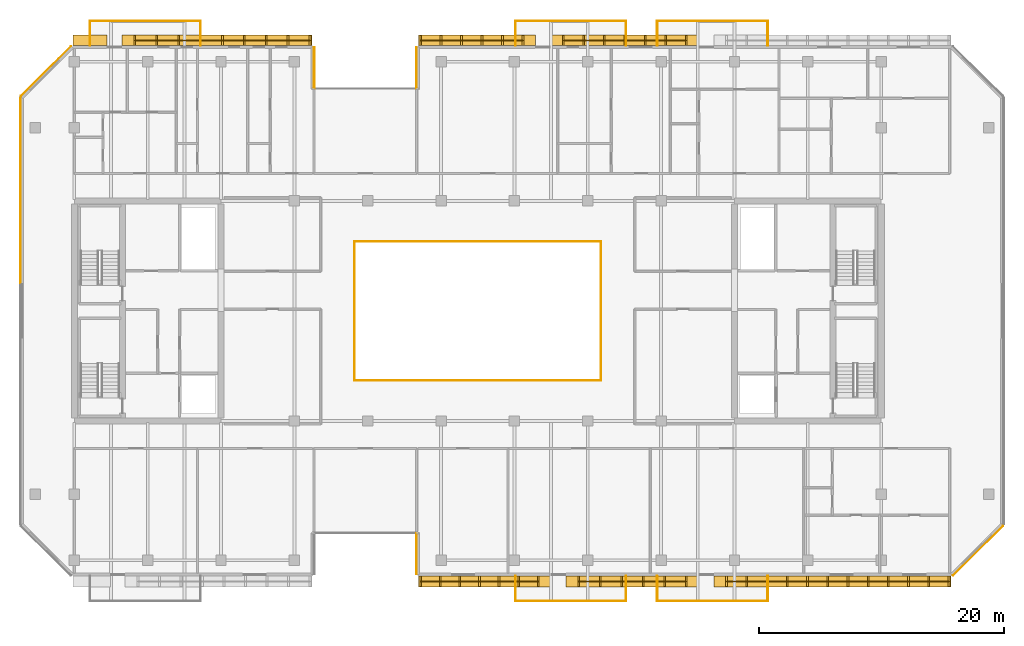
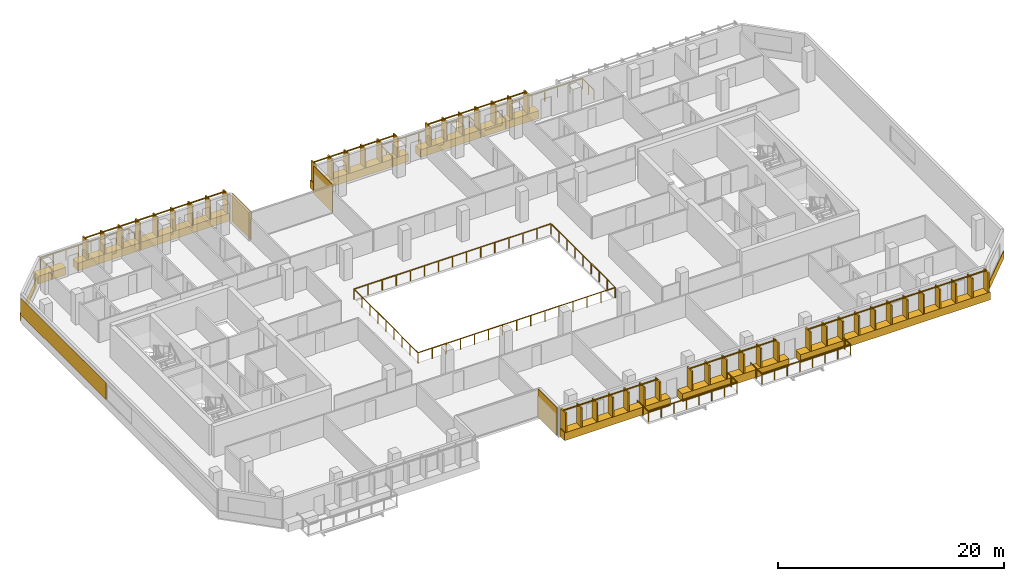
# One storey, part 17 of 19: 13 coverings, 13 railings.
"""IFC4 building model written with IfcOpenShell, lengths in metres."""

from ifc_helpers import new_model, si_unit, direction, frame, origin, origin_2d, place, context, subcontext, project, spatial, rectangle, extrude, material, layer, layer_set, type_object, element, save


model = new_model("IFC4")

# Units and contexts
model_context = context("Model", 3, precision=1e-05, world=origin(), true_north=direction((0.0, 1.0)))
body_context = subcontext(model_context, "Body", "Model", "MODEL_VIEW")
ifc_project = project(units=[si_unit("LENGTHUNIT", "METRE"), si_unit("AREAUNIT", "SQUARE_METRE"), si_unit("VOLUMEUNIT", "CUBIC_METRE"), si_unit("PLANEANGLEUNIT", "RADIAN"), si_unit("MASSUNIT", "GRAM", prefix="KILO")], contexts=[model_context])

# Site, building, storey
site_placement = place(None, origin())
site = spatial("IfcSite", under=ifc_project, at=site_placement, CompositionType="ELEMENT")
building_placement = place(site_placement, origin())
building = spatial("IfcBuilding", under=site, at=building_placement, Name="Tanjung Sevakor Pilgrim Tower", CompositionType="ELEMENT")
storey_placement = place(building_placement, frame((0.0, 0.0, 155.10009765625)))
storey = spatial("IfcBuildingStorey", under=building, at=storey_placement, Name="L43", CompositionType="ELEMENT", Elevation=155.10009765625)

# Coverings
ifc_material_1 = material(Name="Reconstructed Limestone Cladding", Category="masonry")
ifc_layer = layer(ifc_material_1, 0.044921875)
ifc_layer_set = layer_set([ifc_layer], Name="COV-CLAD-LIMESTONE")
covering_type = type_object("IfcCoveringType", Name="COV-CLAD-LIMESTONE", PredefinedType="CLADDING", material=ifc_layer_set)
covering_1_placement = place(storey_placement, frame((51.9775390625, 13.72509765625, 0.019775390625), z_axis=(0.0, 0.0, 1.0), x_axis=(0.0, -1.0, 0.0)))
element("IfcCovering", 1, at=covering_1_placement, inside=storey, type_object=covering_type, Name="L43 Warm Limestone Wall Cladding EW-L43-MAIN-4", PredefinedType="CLADDING", context=body_context, shape_type="SweptSolid", body=[
    extrude(rectangle(XDim=3.360107421875, YDim=0.044921875, at=origin_2d()), origin(), (0.0, 0.0, 1.0), 3.0400390625),
])
covering_2_placement = place(storey_placement, frame((57.577392578125, 11.469970703125, 0.009765625), z_axis=(0.0, 0.0, 1.0), x_axis=(1.0, 0.0, 0.0)))
element("IfcCovering", 2, at=covering_2_placement, inside=storey, type_object=covering_type, Name="L43 Warm Limestone Sill Spandrel EW-L43-MAIN-5-1", PredefinedType="CLADDING", context=body_context, shape_type="SweptSolid", body=[
    extrude(rectangle(XDim=10.824951171875, YDim=0.860107421875, at=origin_2d()), origin(), (0.0, 0.0, 1.0), 0.840087890625),
])
covering_3_placement = place(storey_placement, frame((69.64990234375, 11.469970703125, 0.009765625), z_axis=(0.0, 0.0, 1.0), x_axis=(1.0, 0.0, 0.0)))
element("IfcCovering", 3, at=covering_3_placement, inside=storey, type_object=covering_type, Name="L43 Warm Limestone Sill Spandrel EW-L43-MAIN-5-2", PredefinedType="CLADDING", context=body_context, shape_type="SweptSolid", body=[
    extrude(rectangle(XDim=10.8798828125, YDim=0.860107421875, at=origin_2d()), origin(), (0.0, 0.0, 1.0), 0.840087890625),
])
covering_4_placement = place(storey_placement, frame((86.009033203125, 11.469970703125, 0.009765625), z_axis=(0.0, 0.0, 1.0), x_axis=(1.0, 0.0, 0.0)))
element("IfcCovering", 4, at=covering_4_placement, inside=storey, type_object=covering_type, Name="L43 Warm Limestone Sill Spandrel EW-L43-MAIN-5-3", PredefinedType="CLADDING", context=body_context, shape_type="SweptSolid", body=[
    extrude(rectangle(XDim=19.398193359375, YDim=0.860107421875, at=origin_2d()), origin(), (0.0, 0.0, 1.0), 0.840087890625),
])
covering_5_placement = place(storey_placement, frame((97.916015625, 13.984130859375, 0.009765625), z_axis=(0.0, 0.0, 1.0), x_axis=(0.707106781187, 0.707106781187, 0.0)))
element("IfcCovering", 5, at=covering_5_placement, inside=storey, type_object=covering_type, Name="L43 Warm Limestone Sill Spandrel EW-CHM-L43-MAIN-5-1", PredefinedType="CLADDING", context=body_context, shape_type="SweptSolid", body=[
    extrude(rectangle(XDim=5.756103515625, YDim=0.044921875, at=origin_2d()), origin(), (0.0, 0.0, 1.0), 0.840087890625),
])
covering_6_placement = place(storey_placement, frame((69.02490234375, 55.72998046875, 0.009765625), z_axis=(0.0, 0.0, 1.0), x_axis=(-1.0, 0.0, 0.0)))
element("IfcCovering", 6, at=covering_6_placement, inside=storey, type_object=covering_type, Name="L43 Warm Limestone Sill Spandrel EW-L43-MAIN-9-2", PredefinedType="CLADDING", context=body_context, shape_type="SweptSolid", body=[
    extrude(rectangle(XDim=12.1298828125, YDim=0.860107421875, at=origin_2d()), origin(), (0.0, 0.0, 1.0), 0.840087890625),
])
covering_7_placement = place(storey_placement, frame((56.952392578125, 55.72998046875, 0.009765625), z_axis=(0.0, 0.0, 1.0), x_axis=(-1.0, 0.0, 0.0)))
element("IfcCovering", 7, at=covering_7_placement, inside=storey, type_object=covering_type, Name="L43 Warm Limestone Sill Spandrel EW-L43-MAIN-9-3", PredefinedType="CLADDING", context=body_context, shape_type="SweptSolid", body=[
    extrude(rectangle(XDim=9.574951171875, YDim=0.860107421875, at=origin_2d()), origin(), (0.0, 0.0, 1.0), 0.840087890625),
])
for number, where, z_axis, x_axis, name in (
    (8, (51.9775390625, 53.47509765625, 0.019775390625), (0.0, 0.0, 1.0), (0.0, -1.0, 0.0), "L43 Warm Limestone Wall Cladding EW-L43-MAIN-10"),
    (9, (43.62255859375, 53.47509765625, 0.019775390625), (0.0, 0.0, 1.0), (0.0, 1.0, 0.0), "L43 Warm Limestone Wall Cladding EW-L43-MAIN-12"),
):
    element("IfcCovering", number, at=place(storey_placement, frame(where, z_axis=z_axis, x_axis=x_axis)), inside=storey, type_object=covering_type, Name=name, PredefinedType="CLADDING", context=body_context, shape_type="SweptSolid", body=[
        extrude(rectangle(XDim=3.360107421875, YDim=0.044921875, at=origin_2d()), origin(), (0.0, 0.0, 1.0), 3.0400390625),
    ])
covering_8_placement = place(storey_placement, frame((35.672607421875, 55.72998046875, 0.009765625), z_axis=(0.0, 0.0, 1.0), x_axis=(-1.0, 0.0, 0.0)))
element("IfcCovering", 10, at=covering_8_placement, inside=storey, type_object=covering_type, Name="L43 Warm Limestone Sill Spandrel EW-L43-MAIN-13-1", PredefinedType="CLADDING", context=body_context, shape_type="SweptSolid", body=[
    extrude(rectangle(XDim=15.52490234375, YDim=0.860107421875, at=origin_2d()), origin(), (0.0, 0.0, 1.0), 0.840087890625),
])
covering_9_placement = place(storey_placement, frame((25.291015625, 55.72998046875, 0.009765625), z_axis=(0.0, 0.0, 1.0), x_axis=(-1.0, 0.0, 0.0)))
element("IfcCovering", 11, at=covering_9_placement, inside=storey, type_object=covering_type, Name="L43 Warm Limestone Sill Spandrel EW-L43-MAIN-13-2", PredefinedType="CLADDING", context=body_context, shape_type="SweptSolid", body=[
    extrude(rectangle(XDim=2.798095703125, YDim=0.860107421875, at=origin_2d()), origin(), (0.0, 0.0, 1.0), 0.840087890625),
])
covering_10_placement = place(storey_placement, frame((21.68408203125, 53.2158203125, 0.009765625), z_axis=(0.0, 0.0, 1.0), x_axis=(-0.707106781187, -0.707106781187, 0.0)))
element("IfcCovering", 12, at=covering_10_placement, inside=storey, type_object=covering_type, Name="L43 Warm Limestone Sill Spandrel EW-CHM-L43-MAIN-13-1", PredefinedType="CLADDING", context=body_context, shape_type="SweptSolid", body=[
    extrude(rectangle(XDim=5.756103515625, YDim=0.044921875, at=origin_2d()), origin(), (0.0, 0.0, 1.0), 0.840087890625),
])
covering_11_placement = place(storey_placement, frame((19.577392578125, 43.42919921875, 0.849853515625), z_axis=(0.0, 0.0, 1.0), x_axis=(0.0, -1.0, 0.0)))
element("IfcCovering", 13, at=covering_11_placement, inside=storey, type_object=covering_type, Name="L43 Warm Limestone Pier Panel EW-L43-MAIN-15-1", PredefinedType="CLADDING", context=body_context, shape_type="SweptSolid", body=[
    extrude(rectangle(XDim=15.158203125, YDim=0.044921875, at=origin_2d()), origin(), (0.0, 0.0, 1.0), 1.81005859375),
])

# Railings
ifc_material_2 = material(Name="Laminated Glass and Aluminium", Category="aluminium")
railing_type_1 = type_object("IfcRailingType", Name="RL-BAL-BALUST", PredefinedType="BALUSTRADE", material=ifc_material_2)
railing_1_placement = place(storey_placement, frame((46.919921875, 27.919921875, 0.0)))
element("IfcRailing", 14, at=railing_1_placement, inside=storey, type_object=railing_type_1, Name="L43 Void Opening Balustrade 1A", PredefinedType="BALUSTRADE", context=body_context, shape_type="SweptSolid", body=[
    extrude(rectangle(XDim=0.0479, YDim=0.0479), frame((0.0, 0.0, 1.1259765625), z_axis=(1.0, 0.0, 0.0), x_axis=(0.0, 1.0, 0.0)), (0.0, 0.0, 1.0), 20.16015625),
    extrude(rectangle(XDim=0.0479, YDim=0.0479), frame((20.16015625, 0.0, 1.1259765625), z_axis=(0.0, 1.0, 0.0), x_axis=(-1.0, 0.0, 0.0)), (0.0, 0.0, 1.0), 11.360107421875),
    extrude(rectangle(XDim=0.042, YDim=0.042), origin(), (0.0, 0.0, 1.0), 1.101806640625),
    extrude(rectangle(XDim=0.042, YDim=0.042), frame((1.43994140625, 0.0, 0.0)), (0.0, 0.0, 1.0), 1.101806640625),
    extrude(rectangle(XDim=0.042, YDim=0.042), frame((2.880126953125, 0.0, 0.0)), (0.0, 0.0, 1.0), 1.101806640625),
    extrude(rectangle(XDim=0.042, YDim=0.042), frame((4.320068359375, 0.0, 0.0)), (0.0, 0.0, 1.0), 1.101806640625),
    extrude(rectangle(XDim=0.042, YDim=0.042), frame((5.760009765625, 0.0, 0.0)), (0.0, 0.0, 1.0), 1.101806640625),
    extrude(rectangle(XDim=0.042, YDim=0.042), frame((7.199951171875, 0.0, 0.0)), (0.0, 0.0, 1.0), 1.101806640625),
    extrude(rectangle(XDim=0.042, YDim=0.042), frame((8.64013671875, 0.0, 0.0)), (0.0, 0.0, 1.0), 1.101806640625),
    extrude(rectangle(XDim=0.042, YDim=0.042), frame((10.080078125, 0.0, 0.0)), (0.0, 0.0, 1.0), 1.101806640625),
    extrude(rectangle(XDim=0.042, YDim=0.042), frame((11.52001953125, 0.0, 0.0)), (0.0, 0.0, 1.0), 1.101806640625),
    extrude(rectangle(XDim=0.042, YDim=0.042), frame((12.960205078125, 0.0, 0.0)), (0.0, 0.0, 1.0), 1.101806640625),
    extrude(rectangle(XDim=0.042, YDim=0.042), frame((14.400146484375, 0.0, 0.0)), (0.0, 0.0, 1.0), 1.101806640625),
    extrude(rectangle(XDim=0.042, YDim=0.042), frame((15.840087890625, 0.0, 0.0)), (0.0, 0.0, 1.0), 1.101806640625),
    extrude(rectangle(XDim=0.042, YDim=0.042), frame((17.280029296875, 0.0, 0.0)), (0.0, 0.0, 1.0), 1.101806640625),
    extrude(rectangle(XDim=0.042, YDim=0.042), frame((18.72021484375, 0.0, 0.0)), (0.0, 0.0, 1.0), 1.101806640625),
    extrude(rectangle(XDim=0.042, YDim=0.042), frame((20.16015625, 0.0, 0.0)), (0.0, 0.0, 1.0), 1.101806640625),
    extrude(rectangle(XDim=0.042, YDim=0.042), frame((20.16015625, 1.419921875, 0.0)), (0.0, 0.0, 1.0), 1.101806640625),
    extrude(rectangle(XDim=0.042, YDim=0.042), frame((20.16015625, 2.840087890625, 0.0)), (0.0, 0.0, 1.0), 1.101806640625),
    extrude(rectangle(XDim=0.042, YDim=0.042), frame((20.16015625, 4.260009765625, 0.0)), (0.0, 0.0, 1.0), 1.101806640625),
    extrude(rectangle(XDim=0.042, YDim=0.042), frame((20.16015625, 5.68017578125, 0.0)), (0.0, 0.0, 1.0), 1.101806640625),
    extrude(rectangle(XDim=0.042, YDim=0.042), frame((20.16015625, 7.10009765625, 0.0)), (0.0, 0.0, 1.0), 1.101806640625),
    extrude(rectangle(XDim=0.042, YDim=0.042), frame((20.16015625, 8.52001953125, 0.0)), (0.0, 0.0, 1.0), 1.101806640625),
    extrude(rectangle(XDim=0.042, YDim=0.042), frame((20.16015625, 9.940185546875, 0.0)), (0.0, 0.0, 1.0), 1.101806640625),
    extrude(rectangle(XDim=0.042, YDim=0.042), frame((20.16015625, 11.360107421875, 0.0)), (0.0, 0.0, 1.0), 1.101806640625),
])
railing_2_placement = place(storey_placement, frame((67.080078125, 39.280029296875, 0.0)))
element("IfcRailing", 15, at=railing_2_placement, inside=storey, type_object=railing_type_1, Name="L43 Void Opening Balustrade 1B", PredefinedType="BALUSTRADE", context=body_context, shape_type="SweptSolid", body=[
    extrude(rectangle(XDim=0.0479, YDim=0.0479), frame((0.0, 0.0, 1.1259765625), z_axis=(-1.0, 0.0, 0.0), x_axis=(0.0, -1.0, 0.0)), (0.0, 0.0, 1.0), 20.16015625),
    extrude(rectangle(XDim=0.0479, YDim=0.0479), frame((-20.16015625, 0.0, 1.1259765625), z_axis=(0.0, -1.0, 0.0), x_axis=(1.0, 0.0, 0.0)), (0.0, 0.0, 1.0), 11.360107421875),
    extrude(rectangle(XDim=0.042, YDim=0.042), origin(), (0.0, 0.0, 1.0), 1.101806640625),
    extrude(rectangle(XDim=0.042, YDim=0.042), frame((-1.43994140625, 0.0, 0.0)), (0.0, 0.0, 1.0), 1.101806640625),
    extrude(rectangle(XDim=0.042, YDim=0.042), frame((-2.880126953125, 0.0, 0.0)), (0.0, 0.0, 1.0), 1.101806640625),
    extrude(rectangle(XDim=0.042, YDim=0.042), frame((-4.320068359375, 0.0, 0.0)), (0.0, 0.0, 1.0), 1.101806640625),
    extrude(rectangle(XDim=0.042, YDim=0.042), frame((-5.760009765625, 0.0, 0.0)), (0.0, 0.0, 1.0), 1.101806640625),
    extrude(rectangle(XDim=0.042, YDim=0.042), frame((-7.199951171875, 0.0, 0.0)), (0.0, 0.0, 1.0), 1.101806640625),
    extrude(rectangle(XDim=0.042, YDim=0.042), frame((-8.64013671875, 0.0, 0.0)), (0.0, 0.0, 1.0), 1.101806640625),
    extrude(rectangle(XDim=0.042, YDim=0.042), frame((-10.080078125, 0.0, 0.0)), (0.0, 0.0, 1.0), 1.101806640625),
    extrude(rectangle(XDim=0.042, YDim=0.042), frame((-11.52001953125, 0.0, 0.0)), (0.0, 0.0, 1.0), 1.101806640625),
    extrude(rectangle(XDim=0.042, YDim=0.042), frame((-12.960205078125, 0.0, 0.0)), (0.0, 0.0, 1.0), 1.101806640625),
    extrude(rectangle(XDim=0.042, YDim=0.042), frame((-14.400146484375, 0.0, 0.0)), (0.0, 0.0, 1.0), 1.101806640625),
    extrude(rectangle(XDim=0.042, YDim=0.042), frame((-15.840087890625, 0.0, 0.0)), (0.0, 0.0, 1.0), 1.101806640625),
    extrude(rectangle(XDim=0.042, YDim=0.042), frame((-17.280029296875, 0.0, 0.0)), (0.0, 0.0, 1.0), 1.101806640625),
    extrude(rectangle(XDim=0.042, YDim=0.042), frame((-18.72021484375, 0.0, 0.0)), (0.0, 0.0, 1.0), 1.101806640625),
    extrude(rectangle(XDim=0.042, YDim=0.042), frame((-20.16015625, 0.0, 0.0)), (0.0, 0.0, 1.0), 1.101806640625),
    extrude(rectangle(XDim=0.042, YDim=0.042), frame((-20.16015625, -1.419921875, 0.0)), (0.0, 0.0, 1.0), 1.101806640625),
    extrude(rectangle(XDim=0.042, YDim=0.042), frame((-20.16015625, -2.840087890625, 0.0)), (0.0, 0.0, 1.0), 1.101806640625),
    extrude(rectangle(XDim=0.042, YDim=0.042), frame((-20.16015625, -4.260009765625, 0.0)), (0.0, 0.0, 1.0), 1.101806640625),
    extrude(rectangle(XDim=0.042, YDim=0.042), frame((-20.16015625, -5.68017578125, 0.0)), (0.0, 0.0, 1.0), 1.101806640625),
    extrude(rectangle(XDim=0.042, YDim=0.042), frame((-20.16015625, -7.10009765625, 0.0)), (0.0, 0.0, 1.0), 1.101806640625),
    extrude(rectangle(XDim=0.042, YDim=0.042), frame((-20.16015625, -8.52001953125, 0.0)), (0.0, 0.0, 1.0), 1.101806640625),
    extrude(rectangle(XDim=0.042, YDim=0.042), frame((-20.16015625, -9.940185546875, 0.0)), (0.0, 0.0, 1.0), 1.101806640625),
    extrude(rectangle(XDim=0.042, YDim=0.042), frame((-20.16015625, -11.360107421875, 0.0)), (0.0, 0.0, 1.0), 1.101806640625),
])
railing_3_placement = place(storey_placement, frame((25.280029296875, 55.300048828125, 0.0)))
element("IfcRailing", 16, at=railing_3_placement, inside=storey, type_object=railing_type_1, Name="L43 Loggia Balustrade MAIN-N1", PredefinedType="BALUSTRADE", context=body_context, shape_type="SweptSolid", body=[
    extrude(rectangle(XDim=0.0479, YDim=0.0479), frame((0.0, 0.0, 1.1259765625), z_axis=(0.0, 1.0, 0.0), x_axis=(-1.0, 0.0, 0.0)), (0.0, 0.0, 1.0), 2.02001953125),
    extrude(rectangle(XDim=0.0479, YDim=0.0479), frame((0.0, 2.02001953125, 1.1259765625), z_axis=(1.0, 0.0, 0.0), x_axis=(0.0, 1.0, 0.0)), (0.0, 0.0, 1.0), 9.0400390625),
    extrude(rectangle(XDim=0.0479, YDim=0.0479), frame((9.0400390625, 2.02001953125, 1.1259765625), z_axis=(0.0, -1.0, 0.0), x_axis=(1.0, 0.0, 0.0)), (0.0, 0.0, 1.0), 2.02001953125),
    extrude(rectangle(XDim=0.042, YDim=0.042), origin(), (0.0, 0.0, 1.0), 1.101806640625),
    extrude(rectangle(XDim=0.042, YDim=0.042), frame((0.0, 1.010009765625, 0.0)), (0.0, 0.0, 1.0), 1.101806640625),
    extrude(rectangle(XDim=0.042, YDim=0.042), frame((0.0, 2.02001953125, 0.0)), (0.0, 0.0, 1.0), 1.101806640625),
    extrude(rectangle(XDim=0.042, YDim=0.042), frame((1.29150390625, 2.02001953125, 0.0)), (0.0, 0.0, 1.0), 1.101806640625),
    extrude(rectangle(XDim=0.042, YDim=0.042), frame((2.582763671875, 2.02001953125, 0.0)), (0.0, 0.0, 1.0), 1.101806640625),
    extrude(rectangle(XDim=0.042, YDim=0.042), frame((3.874267578125, 2.02001953125, 0.0)), (0.0, 0.0, 1.0), 1.101806640625),
    extrude(rectangle(XDim=0.042, YDim=0.042), frame((5.165771484375, 2.02001953125, 0.0)), (0.0, 0.0, 1.0), 1.101806640625),
    extrude(rectangle(XDim=0.042, YDim=0.042), frame((6.457275390625, 2.02001953125, 0.0)), (0.0, 0.0, 1.0), 1.101806640625),
    extrude(rectangle(XDim=0.042, YDim=0.042), frame((7.74853515625, 2.02001953125, 0.0)), (0.0, 0.0, 1.0), 1.101806640625),
    extrude(rectangle(XDim=0.042, YDim=0.042), frame((9.0400390625, 2.02001953125, 0.0)), (0.0, 0.0, 1.0), 1.101806640625),
    extrude(rectangle(XDim=0.042, YDim=0.042), frame((9.0400390625, 1.010009765625, 0.0)), (0.0, 0.0, 1.0), 1.101806640625),
    extrude(rectangle(XDim=0.042, YDim=0.042), frame((9.0400390625, 0.0, 0.0)), (0.0, 0.0, 1.0), 1.101806640625),
])
railing_4_placement = place(storey_placement, frame((60.080078125, 11.89990234375, 0.0)))
element("IfcRailing", 17, at=railing_4_placement, inside=storey, type_object=railing_type_1, Name="L43 Loggia Balustrade MAIN-S2", PredefinedType="BALUSTRADE", context=body_context, shape_type="SweptSolid", body=[
    extrude(rectangle(XDim=0.0479, YDim=0.0479), frame((0.0, 0.0, 1.1259765625), z_axis=(0.0, -1.0, 0.0), x_axis=(1.0, 0.0, 0.0)), (0.0, 0.0, 1.0), 2.02001953125),
    extrude(rectangle(XDim=0.0479, YDim=0.0479), frame((0.0, -2.02001953125, 1.1259765625), z_axis=(1.0, 0.0, 0.0), x_axis=(0.0, 1.0, 0.0)), (0.0, 0.0, 1.0), 9.0400390625),
    extrude(rectangle(XDim=0.0479, YDim=0.0479), frame((9.0400390625, -2.02001953125, 1.1259765625), z_axis=(0.0, 1.0, 0.0), x_axis=(-1.0, 0.0, 0.0)), (0.0, 0.0, 1.0), 2.02001953125),
    extrude(rectangle(XDim=0.042, YDim=0.042), origin(), (0.0, 0.0, 1.0), 1.101806640625),
    extrude(rectangle(XDim=0.042, YDim=0.042), frame((0.0, -1.010009765625, 0.0)), (0.0, 0.0, 1.0), 1.101806640625),
    extrude(rectangle(XDim=0.042, YDim=0.042), frame((0.0, -2.02001953125, 0.0)), (0.0, 0.0, 1.0), 1.101806640625),
    extrude(rectangle(XDim=0.042, YDim=0.042), frame((1.29150390625, -2.02001953125, 0.0)), (0.0, 0.0, 1.0), 1.101806640625),
    extrude(rectangle(XDim=0.042, YDim=0.042), frame((2.582763671875, -2.02001953125, 0.0)), (0.0, 0.0, 1.0), 1.101806640625),
    extrude(rectangle(XDim=0.042, YDim=0.042), frame((3.874267578125, -2.02001953125, 0.0)), (0.0, 0.0, 1.0), 1.101806640625),
    extrude(rectangle(XDim=0.042, YDim=0.042), frame((5.165771484375, -2.02001953125, 0.0)), (0.0, 0.0, 1.0), 1.101806640625),
    extrude(rectangle(XDim=0.042, YDim=0.042), frame((6.457275390625, -2.02001953125, 0.0)), (0.0, 0.0, 1.0), 1.101806640625),
    extrude(rectangle(XDim=0.042, YDim=0.042), frame((7.74853515625, -2.02001953125, 0.0)), (0.0, 0.0, 1.0), 1.101806640625),
    extrude(rectangle(XDim=0.042, YDim=0.042), frame((9.0400390625, -2.02001953125, 0.0)), (0.0, 0.0, 1.0), 1.101806640625),
    extrude(rectangle(XDim=0.042, YDim=0.042), frame((9.0400390625, -1.010009765625, 0.0)), (0.0, 0.0, 1.0), 1.101806640625),
    extrude(rectangle(XDim=0.042, YDim=0.042), frame((9.0400390625, 0.0, 0.0)), (0.0, 0.0, 1.0), 1.101806640625),
])
railing_5_placement = place(storey_placement, frame((60.080078125, 55.300048828125, 0.0)))
element("IfcRailing", 18, at=railing_5_placement, inside=storey, type_object=railing_type_1, Name="L43 Loggia Balustrade MAIN-N2", PredefinedType="BALUSTRADE", context=body_context, shape_type="SweptSolid", body=[
    extrude(rectangle(XDim=0.0479, YDim=0.0479), frame((0.0, 0.0, 1.1259765625), z_axis=(0.0, 1.0, 0.0), x_axis=(-1.0, 0.0, 0.0)), (0.0, 0.0, 1.0), 2.02001953125),
    extrude(rectangle(XDim=0.0479, YDim=0.0479), frame((0.0, 2.02001953125, 1.1259765625), z_axis=(1.0, 0.0, 0.0), x_axis=(0.0, 1.0, 0.0)), (0.0, 0.0, 1.0), 9.0400390625),
    extrude(rectangle(XDim=0.0479, YDim=0.0479), frame((9.0400390625, 2.02001953125, 1.1259765625), z_axis=(0.0, -1.0, 0.0), x_axis=(1.0, 0.0, 0.0)), (0.0, 0.0, 1.0), 2.02001953125),
    extrude(rectangle(XDim=0.042, YDim=0.042), origin(), (0.0, 0.0, 1.0), 1.101806640625),
    extrude(rectangle(XDim=0.042, YDim=0.042), frame((0.0, 1.010009765625, 0.0)), (0.0, 0.0, 1.0), 1.101806640625),
    extrude(rectangle(XDim=0.042, YDim=0.042), frame((0.0, 2.02001953125, 0.0)), (0.0, 0.0, 1.0), 1.101806640625),
    extrude(rectangle(XDim=0.042, YDim=0.042), frame((1.29150390625, 2.02001953125, 0.0)), (0.0, 0.0, 1.0), 1.101806640625),
    extrude(rectangle(XDim=0.042, YDim=0.042), frame((2.582763671875, 2.02001953125, 0.0)), (0.0, 0.0, 1.0), 1.101806640625),
    extrude(rectangle(XDim=0.042, YDim=0.042), frame((3.874267578125, 2.02001953125, 0.0)), (0.0, 0.0, 1.0), 1.101806640625),
    extrude(rectangle(XDim=0.042, YDim=0.042), frame((5.165771484375, 2.02001953125, 0.0)), (0.0, 0.0, 1.0), 1.101806640625),
    extrude(rectangle(XDim=0.042, YDim=0.042), frame((6.457275390625, 2.02001953125, 0.0)), (0.0, 0.0, 1.0), 1.101806640625),
    extrude(rectangle(XDim=0.042, YDim=0.042), frame((7.74853515625, 2.02001953125, 0.0)), (0.0, 0.0, 1.0), 1.101806640625),
    extrude(rectangle(XDim=0.042, YDim=0.042), frame((9.0400390625, 2.02001953125, 0.0)), (0.0, 0.0, 1.0), 1.101806640625),
    extrude(rectangle(XDim=0.042, YDim=0.042), frame((9.0400390625, 1.010009765625, 0.0)), (0.0, 0.0, 1.0), 1.101806640625),
    extrude(rectangle(XDim=0.042, YDim=0.042), frame((9.0400390625, 0.0, 0.0)), (0.0, 0.0, 1.0), 1.101806640625),
])
railing_6_placement = place(storey_placement, frame((71.679931640625, 11.89990234375, 0.0)))
element("IfcRailing", 19, at=railing_6_placement, inside=storey, type_object=railing_type_1, Name="L43 Loggia Balustrade MAIN-S3", PredefinedType="BALUSTRADE", context=body_context, shape_type="SweptSolid", body=[
    extrude(rectangle(XDim=0.0479, YDim=0.0479), frame((0.0, 0.0, 1.1259765625), z_axis=(0.0, -1.0, 0.0), x_axis=(1.0, 0.0, 0.0)), (0.0, 0.0, 1.0), 2.02001953125),
    extrude(rectangle(XDim=0.0479, YDim=0.0479), frame((0.0, -2.02001953125, 1.1259765625), z_axis=(1.0, 0.0, 0.0), x_axis=(0.0, 1.0, 0.0)), (0.0, 0.0, 1.0), 9.0400390625),
    extrude(rectangle(XDim=0.0479, YDim=0.0479), frame((9.0400390625, -2.02001953125, 1.1259765625), z_axis=(0.0, 1.0, 0.0), x_axis=(-1.0, 0.0, 0.0)), (0.0, 0.0, 1.0), 2.02001953125),
    extrude(rectangle(XDim=0.042, YDim=0.042), origin(), (0.0, 0.0, 1.0), 1.101806640625),
    extrude(rectangle(XDim=0.042, YDim=0.042), frame((0.0, -1.010009765625, 0.0)), (0.0, 0.0, 1.0), 1.101806640625),
    extrude(rectangle(XDim=0.042, YDim=0.042), frame((0.0, -2.02001953125, 0.0)), (0.0, 0.0, 1.0), 1.101806640625),
    extrude(rectangle(XDim=0.042, YDim=0.042), frame((1.29150390625, -2.02001953125, 0.0)), (0.0, 0.0, 1.0), 1.101806640625),
    extrude(rectangle(XDim=0.042, YDim=0.042), frame((2.582763671875, -2.02001953125, 0.0)), (0.0, 0.0, 1.0), 1.101806640625),
    extrude(rectangle(XDim=0.042, YDim=0.042), frame((3.874267578125, -2.02001953125, 0.0)), (0.0, 0.0, 1.0), 1.101806640625),
    extrude(rectangle(XDim=0.042, YDim=0.042), frame((5.165771484375, -2.02001953125, 0.0)), (0.0, 0.0, 1.0), 1.101806640625),
    extrude(rectangle(XDim=0.042, YDim=0.042), frame((6.457275390625, -2.02001953125, 0.0)), (0.0, 0.0, 1.0), 1.101806640625),
    extrude(rectangle(XDim=0.042, YDim=0.042), frame((7.74853515625, -2.02001953125, 0.0)), (0.0, 0.0, 1.0), 1.101806640625),
    extrude(rectangle(XDim=0.042, YDim=0.042), frame((9.0400390625, -2.02001953125, 0.0)), (0.0, 0.0, 1.0), 1.101806640625),
    extrude(rectangle(XDim=0.042, YDim=0.042), frame((9.0400390625, -1.010009765625, 0.0)), (0.0, 0.0, 1.0), 1.101806640625),
    extrude(rectangle(XDim=0.042, YDim=0.042), frame((9.0400390625, 0.0, 0.0)), (0.0, 0.0, 1.0), 1.101806640625),
])
railing_7_placement = place(storey_placement, frame((71.679931640625, 55.300048828125, 0.0)))
element("IfcRailing", 20, at=railing_7_placement, inside=storey, type_object=railing_type_1, Name="L43 Loggia Balustrade MAIN-N3", PredefinedType="BALUSTRADE", context=body_context, shape_type="SweptSolid", body=[
    extrude(rectangle(XDim=0.0479, YDim=0.0479), frame((0.0, 0.0, 1.1259765625), z_axis=(0.0, 1.0, 0.0), x_axis=(-1.0, 0.0, 0.0)), (0.0, 0.0, 1.0), 2.02001953125),
    extrude(rectangle(XDim=0.0479, YDim=0.0479), frame((0.0, 2.02001953125, 1.1259765625), z_axis=(1.0, 0.0, 0.0), x_axis=(0.0, 1.0, 0.0)), (0.0, 0.0, 1.0), 9.0400390625),
    extrude(rectangle(XDim=0.0479, YDim=0.0479), frame((9.0400390625, 2.02001953125, 1.1259765625), z_axis=(0.0, -1.0, 0.0), x_axis=(1.0, 0.0, 0.0)), (0.0, 0.0, 1.0), 2.02001953125),
    extrude(rectangle(XDim=0.042, YDim=0.042), origin(), (0.0, 0.0, 1.0), 1.101806640625),
    extrude(rectangle(XDim=0.042, YDim=0.042), frame((0.0, 1.010009765625, 0.0)), (0.0, 0.0, 1.0), 1.101806640625),
    extrude(rectangle(XDim=0.042, YDim=0.042), frame((0.0, 2.02001953125, 0.0)), (0.0, 0.0, 1.0), 1.101806640625),
    extrude(rectangle(XDim=0.042, YDim=0.042), frame((1.29150390625, 2.02001953125, 0.0)), (0.0, 0.0, 1.0), 1.101806640625),
    extrude(rectangle(XDim=0.042, YDim=0.042), frame((2.582763671875, 2.02001953125, 0.0)), (0.0, 0.0, 1.0), 1.101806640625),
    extrude(rectangle(XDim=0.042, YDim=0.042), frame((3.874267578125, 2.02001953125, 0.0)), (0.0, 0.0, 1.0), 1.101806640625),
    extrude(rectangle(XDim=0.042, YDim=0.042), frame((5.165771484375, 2.02001953125, 0.0)), (0.0, 0.0, 1.0), 1.101806640625),
    extrude(rectangle(XDim=0.042, YDim=0.042), frame((6.457275390625, 2.02001953125, 0.0)), (0.0, 0.0, 1.0), 1.101806640625),
    extrude(rectangle(XDim=0.042, YDim=0.042), frame((7.74853515625, 2.02001953125, 0.0)), (0.0, 0.0, 1.0), 1.101806640625),
    extrude(rectangle(XDim=0.042, YDim=0.042), frame((9.0400390625, 2.02001953125, 0.0)), (0.0, 0.0, 1.0), 1.101806640625),
    extrude(rectangle(XDim=0.042, YDim=0.042), frame((9.0400390625, 1.010009765625, 0.0)), (0.0, 0.0, 1.0), 1.101806640625),
    extrude(rectangle(XDim=0.042, YDim=0.042), frame((9.0400390625, 0.0, 0.0)), (0.0, 0.0, 1.0), 1.101806640625),
])
ifc_material_3 = material(Name="Anodised Bronze Aluminium 6063-T6", Category="aluminium")
railing_type_2 = type_object("IfcRailingType", Name="RL-FIN-SCREEN", PredefinedType="BALUSTRADE", material=ifc_material_3)
railing_8_placement = place(storey_placement, frame((52.324951171875, 11.47509765625, 0.83984375)))
element("IfcRailing", 21, at=railing_8_placement, inside=storey, type_object=railing_type_2, Name="L43 Vertical Bronze-Gold Solar Fin Screen FNSCR-EW-L43-MAIN-5-1", PredefinedType="BALUSTRADE", context=body_context, shape_type="SweptSolid", body=[
    extrude(rectangle(XDim=0.105, YDim=0.105), frame((0.0, 0.0, 2.157470703125), z_axis=(1.0, 0.0, 0.0), x_axis=(0.0, 1.0, 0.0)), (0.0, 0.0, 1.0), 9.625),
    extrude(rectangle(XDim=0.14, YDim=0.85), origin(), (0.0, 0.0, 1.0), 2.10498046875),
    extrude(rectangle(XDim=0.14, YDim=0.85), frame((1.604248046875, 0.0, 0.0)), (0.0, 0.0, 1.0), 2.10498046875),
    extrude(rectangle(XDim=0.14, YDim=0.85), frame((3.208251953125, 0.0, 0.0)), (0.0, 0.0, 1.0), 2.10498046875),
    extrude(rectangle(XDim=0.14, YDim=0.85), frame((4.8125, 0.0, 0.0)), (0.0, 0.0, 1.0), 2.10498046875),
    extrude(rectangle(XDim=0.14, YDim=0.85), frame((6.416748046875, 0.0, 0.0)), (0.0, 0.0, 1.0), 2.10498046875),
    extrude(rectangle(XDim=0.14, YDim=0.85), frame((8.020751953125, 0.0, 0.0)), (0.0, 0.0, 1.0), 2.10498046875),
    extrude(rectangle(XDim=0.14, YDim=0.85), frame((9.625, 0.0, 0.0)), (0.0, 0.0, 1.0), 2.10498046875),
])
railing_9_placement = place(storey_placement, frame((65.25, 11.47509765625, 0.83984375)))
element("IfcRailing", 22, at=railing_9_placement, inside=storey, type_object=railing_type_2, Name="L43 Vertical Bronze-Gold Solar Fin Screen FNSCR-EW-L43-MAIN-5-2", PredefinedType="BALUSTRADE", context=body_context, shape_type="SweptSolid", body=[
    extrude(rectangle(XDim=0.105, YDim=0.105), frame((0.0, 0.0, 2.157470703125), z_axis=(1.0, 0.0, 0.0), x_axis=(0.0, 1.0, 0.0)), (0.0, 0.0, 1.0), 8.800048828125),
    extrude(rectangle(XDim=0.14, YDim=0.85), origin(), (0.0, 0.0, 1.0), 2.10498046875),
    extrude(rectangle(XDim=0.14, YDim=0.85), frame((1.760009765625, 0.0, 0.0)), (0.0, 0.0, 1.0), 2.10498046875),
    extrude(rectangle(XDim=0.14, YDim=0.85), frame((3.52001953125, 0.0, 0.0)), (0.0, 0.0, 1.0), 2.10498046875),
    extrude(rectangle(XDim=0.14, YDim=0.85), frame((5.280029296875, 0.0, 0.0)), (0.0, 0.0, 1.0), 2.10498046875),
    extrude(rectangle(XDim=0.14, YDim=0.85), frame((7.0400390625, 0.0, 0.0)), (0.0, 0.0, 1.0), 2.10498046875),
    extrude(rectangle(XDim=0.14, YDim=0.85), frame((8.800048828125, 0.0, 0.0)), (0.0, 0.0, 1.0), 2.10498046875),
])
railing_10_placement = place(storey_placement, frame((77.35009765625, 11.47509765625, 0.83984375)))
element("IfcRailing", 23, at=railing_10_placement, inside=storey, type_object=railing_type_2, Name="L43 Vertical Bronze-Gold Solar Fin Screen FNSCR-EW-L43-MAIN-5-3", PredefinedType="BALUSTRADE", context=body_context, shape_type="SweptSolid", body=[
    extrude(rectangle(XDim=0.105, YDim=0.105), frame((0.0, 0.0, 2.157470703125), z_axis=(1.0, 0.0, 0.0), x_axis=(0.0, 1.0, 0.0)), (0.0, 0.0, 1.0), 18.197998046875),
    extrude(rectangle(XDim=0.14, YDim=0.85), origin(), (0.0, 0.0, 1.0), 2.10498046875),
    extrude(rectangle(XDim=0.14, YDim=0.85), frame((1.654296875, 0.0, 0.0)), (0.0, 0.0, 1.0), 2.10498046875),
    extrude(rectangle(XDim=0.14, YDim=0.85), frame((3.308837890625, 0.0, 0.0)), (0.0, 0.0, 1.0), 2.10498046875),
    extrude(rectangle(XDim=0.14, YDim=0.85), frame((4.963134765625, 0.0, 0.0)), (0.0, 0.0, 1.0), 2.10498046875),
    extrude(rectangle(XDim=0.14, YDim=0.85), frame((6.617431640625, 0.0, 0.0)), (0.0, 0.0, 1.0), 2.10498046875),
    extrude(rectangle(XDim=0.14, YDim=0.85), frame((8.271728515625, 0.0, 0.0)), (0.0, 0.0, 1.0), 2.10498046875),
    extrude(rectangle(XDim=0.14, YDim=0.85), frame((9.92626953125, 0.0, 0.0)), (0.0, 0.0, 1.0), 2.10498046875),
    extrude(rectangle(XDim=0.14, YDim=0.85), frame((11.58056640625, 0.0, 0.0)), (0.0, 0.0, 1.0), 2.10498046875),
    extrude(rectangle(XDim=0.14, YDim=0.85), frame((13.23486328125, 0.0, 0.0)), (0.0, 0.0, 1.0), 2.10498046875),
    extrude(rectangle(XDim=0.14, YDim=0.85), frame((14.88916015625, 0.0, 0.0)), (0.0, 0.0, 1.0), 2.10498046875),
    extrude(rectangle(XDim=0.14, YDim=0.85), frame((16.543701171875, 0.0, 0.0)), (0.0, 0.0, 1.0), 2.10498046875),
    extrude(rectangle(XDim=0.14, YDim=0.85), frame((18.197998046875, 0.0, 0.0)), (0.0, 0.0, 1.0), 2.10498046875),
])
railing_11_placement = place(storey_placement, frame((74.050048828125, 55.72509765625, 0.83984375)))
element("IfcRailing", 24, at=railing_11_placement, inside=storey, type_object=railing_type_2, Name="L43 Vertical Bronze-Gold Solar Fin Screen FNSCR-EW-L43-MAIN-9-2", PredefinedType="BALUSTRADE", context=body_context, shape_type="SweptSolid", body=[
    extrude(rectangle(XDim=0.105, YDim=0.105), frame((0.0, 0.0, 2.157470703125), z_axis=(-1.0, 0.0, 0.0), x_axis=(0.0, -1.0, 0.0)), (0.0, 0.0, 1.0), 10.050048828125),
    extrude(rectangle(XDim=0.14, YDim=0.85), origin(), (0.0, 0.0, 1.0), 2.10498046875),
    extrude(rectangle(XDim=0.14, YDim=0.85), frame((-1.675048828125, 0.0, 0.0)), (0.0, 0.0, 1.0), 2.10498046875),
    extrude(rectangle(XDim=0.14, YDim=0.85), frame((-3.35009765625, 0.0, 0.0)), (0.0, 0.0, 1.0), 2.10498046875),
    extrude(rectangle(XDim=0.14, YDim=0.85), frame((-5.02490234375, 0.0, 0.0)), (0.0, 0.0, 1.0), 2.10498046875),
    extrude(rectangle(XDim=0.14, YDim=0.85), frame((-6.699951171875, 0.0, 0.0)), (0.0, 0.0, 1.0), 2.10498046875),
    extrude(rectangle(XDim=0.14, YDim=0.85), frame((-8.375, 0.0, 0.0)), (0.0, 0.0, 1.0), 2.10498046875),
    extrude(rectangle(XDim=0.14, YDim=0.85), frame((-10.050048828125, 0.0, 0.0)), (0.0, 0.0, 1.0), 2.10498046875),
])
railing_12_placement = place(storey_placement, frame((60.699951171875, 55.72509765625, 0.83984375)))
element("IfcRailing", 25, at=railing_12_placement, inside=storey, type_object=railing_type_2, Name="L43 Vertical Bronze-Gold Solar Fin Screen FNSCR-EW-L43-MAIN-9-3", PredefinedType="BALUSTRADE", context=body_context, shape_type="SweptSolid", body=[
    extrude(rectangle(XDim=0.105, YDim=0.105), frame((0.0, 0.0, 2.157470703125), z_axis=(-1.0, 0.0, 0.0), x_axis=(0.0, -1.0, 0.0)), (0.0, 0.0, 1.0), 8.375),
    extrude(rectangle(XDim=0.14, YDim=0.85), origin(), (0.0, 0.0, 1.0), 2.10498046875),
    extrude(rectangle(XDim=0.14, YDim=0.85), frame((-1.675048828125, 0.0, 0.0)), (0.0, 0.0, 1.0), 2.10498046875),
    extrude(rectangle(XDim=0.14, YDim=0.85), frame((-3.35009765625, 0.0, 0.0)), (0.0, 0.0, 1.0), 2.10498046875),
    extrude(rectangle(XDim=0.14, YDim=0.85), frame((-5.02490234375, 0.0, 0.0)), (0.0, 0.0, 1.0), 2.10498046875),
    extrude(rectangle(XDim=0.14, YDim=0.85), frame((-6.699951171875, 0.0, 0.0)), (0.0, 0.0, 1.0), 2.10498046875),
    extrude(rectangle(XDim=0.14, YDim=0.85), frame((-8.375, 0.0, 0.0)), (0.0, 0.0, 1.0), 2.10498046875),
])
railing_13_placement = place(storey_placement, frame((43.27490234375, 55.72509765625, 0.83984375)))
element("IfcRailing", 26, at=railing_13_placement, inside=storey, type_object=railing_type_2, Name="L43 Vertical Bronze-Gold Solar Fin Screen FNSCR-EW-L43-MAIN-13-1", PredefinedType="BALUSTRADE", context=body_context, shape_type="SweptSolid", body=[
    extrude(rectangle(XDim=0.105, YDim=0.105), frame((0.0, 0.0, 2.157470703125), z_axis=(-1.0, 0.0, 0.0), x_axis=(0.0, -1.0, 0.0)), (0.0, 0.0, 1.0), 14.324951171875),
    extrude(rectangle(XDim=0.14, YDim=0.85), origin(), (0.0, 0.0, 1.0), 2.10498046875),
    extrude(rectangle(XDim=0.14, YDim=0.85), frame((-1.79052734375, 0.0, 0.0)), (0.0, 0.0, 1.0), 2.10498046875),
    extrude(rectangle(XDim=0.14, YDim=0.85), frame((-3.581298828125, 0.0, 0.0)), (0.0, 0.0, 1.0), 2.10498046875),
    extrude(rectangle(XDim=0.14, YDim=0.85), frame((-5.371826171875, 0.0, 0.0)), (0.0, 0.0, 1.0), 2.10498046875),
    extrude(rectangle(XDim=0.14, YDim=0.85), frame((-7.16259765625, 0.0, 0.0)), (0.0, 0.0, 1.0), 2.10498046875),
    extrude(rectangle(XDim=0.14, YDim=0.85), frame((-8.953125, 0.0, 0.0)), (0.0, 0.0, 1.0), 2.10498046875),
    extrude(rectangle(XDim=0.14, YDim=0.85), frame((-10.74365234375, 0.0, 0.0)), (0.0, 0.0, 1.0), 2.10498046875),
    extrude(rectangle(XDim=0.14, YDim=0.85), frame((-12.534423828125, 0.0, 0.0)), (0.0, 0.0, 1.0), 2.10498046875),
    extrude(rectangle(XDim=0.14, YDim=0.85), frame((-14.324951171875, 0.0, 0.0)), (0.0, 0.0, 1.0), 2.10498046875),
])

save(model, "model.ifc")
